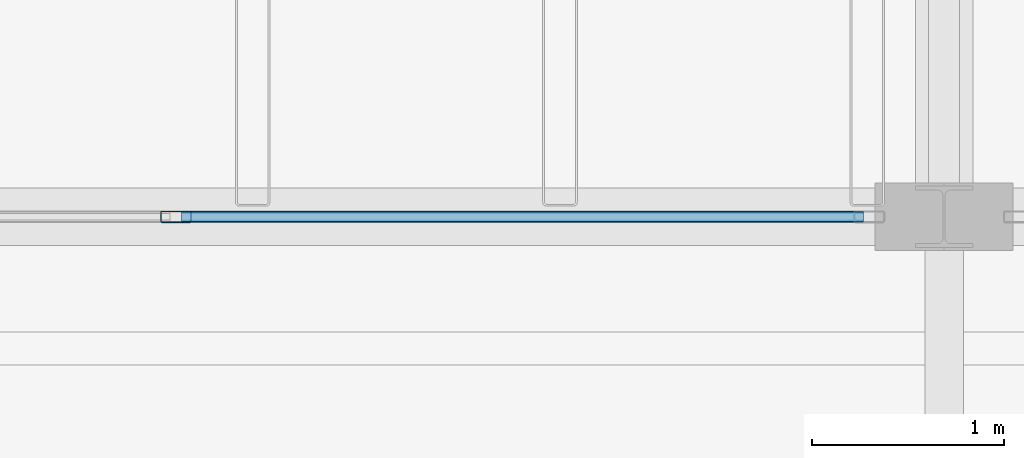
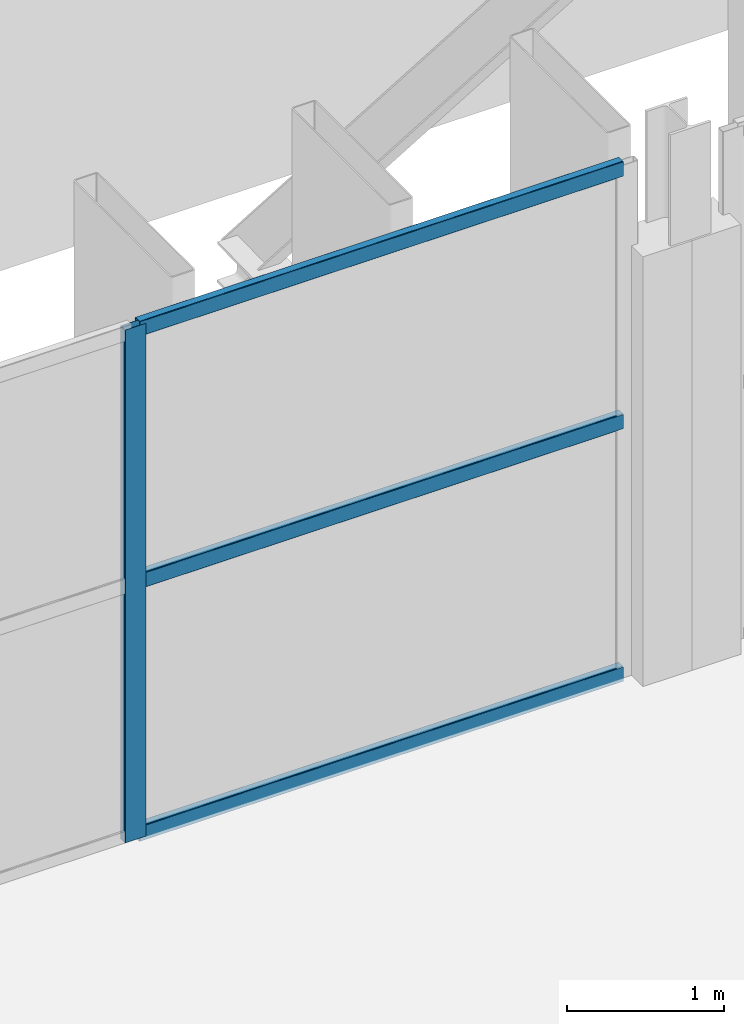
# One storey, part 55 of 93: 4 members, 1 element without a shape of its own.
"""IFC4 building model written with IfcOpenShell, lengths in metres."""

from ifc_helpers import new_model, si_unit, direction, frame, origin, origin_2d, place, context, subcontext, project, spatial, hollow_rectangle, extrude, material, layer, layer_set, material_profile, profile_set, type_object, element, aggregate, save


model = new_model("IFC4")

# Units and contexts
model_context = context("Model", 3, precision=1e-05, world=origin(), true_north=direction((0.0, 1.0)))
body_context = subcontext(model_context, "Body", "Model", "MODEL_VIEW")
ifc_project = project(units=[si_unit("LENGTHUNIT", "METRE"), si_unit("AREAUNIT", "SQUARE_METRE"), si_unit("VOLUMEUNIT", "CUBIC_METRE"), si_unit("PLANEANGLEUNIT", "RADIAN"), si_unit("MASSUNIT", "GRAM", prefix="KILO")], contexts=[model_context])

# Site, building, storey
site_placement = place(None, origin())
site = spatial("IfcSite", under=ifc_project, at=site_placement, CompositionType="ELEMENT")
building_placement = place(site_placement, origin())
building = spatial("IfcBuilding", under=site, at=building_placement, Name="Vekula Escarpment Museum", CompositionType="ELEMENT")
storey_placement = place(building_placement, frame((0.0, 0.0, 22.199951171875)))
storey = spatial("IfcBuildingStorey", under=building, at=storey_placement, Name="L05", CompositionType="ELEMENT", Elevation=22.199951171875)

# Curtain wall, members
ifc_material_1 = material(Name="Aluminium thermally broken framing", Category="aluminium")
ifc_layer = layer(ifc_material_1, 0.179931640625)
ifc_layer_set = layer_set([ifc_layer], Name="Aluminium thermally broken framing")
curtain_wall_type = type_object("IfcCurtainWallType", Name="CW-SYS-07", PredefinedType="NOTDEFINED", material=ifc_layer_set)
curtain_wall_placement = place(storey_placement, origin())
curtain_wall = element("IfcCurtainWall", 1, at=curtain_wall_placement, inside=storey, type_object=curtain_wall_type, Name="Curtain Wall CW-L05-177", PredefinedType="NOTDEFINED")
ifc_material_2 = material(Name="Aluminium anodized mullion", Category="aluminium")
ifc_material_profile_1 = material_profile(ifc_material_2, hollow_rectangle(XDim=0.06005859375, YDim=0.159912109375, WallThickness=0.00390625, InnerFilletRadius=0.00390625, OuterFilletRadius=0.008056640625, at=origin_2d()), Name="ALU 160x60x4")
ifc_profile_set_1 = profile_set([ifc_material_profile_1], Name="Aluminium anodized mullion")
member_type_1 = type_object("IfcMemberType", Name="CW-MUL-160", PredefinedType="MULLION", material=ifc_profile_set_1)
member_1_placement = place(storey_placement, frame((114.0, 90.39990234375, 0.0), z_axis=(0.0, 0.0, 1.0), x_axis=(0.0, -1.0, 0.0)))
member_1 = element("IfcMember", 2, at=member_1_placement, type_object=member_type_1, Name="CW-07 mullion 2", PredefinedType="MULLION", context=body_context, shape_type="SweptSolid", body=[
    extrude(hollow_rectangle(XDim=0.06005859375, YDim=0.159912109375, WallThickness=0.00390625, InnerFilletRadius=0.00390625, OuterFilletRadius=0.008056640625, at=origin_2d()), origin(), (0.0, 0.0, 1.0), 3.97998046875),
])
ifc_material_3 = material(Name="Aluminium anodized transom", Category="aluminium")
ifc_material_profile_2 = material_profile(ifc_material_3, hollow_rectangle(XDim=0.06005859375, YDim=0.1201171875, WallThickness=0.00390625, InnerFilletRadius=0.00390625, OuterFilletRadius=0.008056640625, at=origin_2d()), Name="ALU 120x60x4")
ifc_profile_set_2 = profile_set([ifc_material_profile_2], Name="Aluminium anodized transom")
member_type_2 = type_object("IfcMemberType", Name="CW-TRN-120", PredefinedType="USERDEFINED", material=ifc_profile_set_2)
member_2_placement = place(storey_placement, frame((117.580078125, 90.39990234375, 0.030029296875), z_axis=(-1.0, 0.0, 0.0), x_axis=(0.0, -1.0, 0.0)))
member_2 = element("IfcMember", 3, at=member_2_placement, type_object=member_type_2, Name="CW-07 transom 1.1", ObjectType="TRANSOM", PredefinedType="USERDEFINED", context=body_context, shape_type="SweptSolid", body=[
    extrude(hollow_rectangle(XDim=0.06005859375, YDim=0.1201171875, WallThickness=0.00390625, InnerFilletRadius=0.00390625, OuterFilletRadius=0.008056640625, at=origin_2d()), origin(), (0.0, 0.0, 1.0), 3.550048828125),
])
member_3_placement = place(storey_placement, frame((117.580078125, 90.39990234375, 1.989990234375), z_axis=(-1.0, 0.0, 0.0), x_axis=(0.0, -1.0, 0.0)))
member_3 = element("IfcMember", 4, at=member_3_placement, type_object=member_type_2, Name="CW-07 transom 1.2", ObjectType="TRANSOM", PredefinedType="USERDEFINED", context=body_context, shape_type="SweptSolid", body=[
    extrude(hollow_rectangle(XDim=0.06005859375, YDim=0.1201171875, WallThickness=0.00390625, InnerFilletRadius=0.00390625, OuterFilletRadius=0.008056640625, at=origin_2d()), origin(), (0.0, 0.0, 1.0), 3.550048828125),
])
member_4_placement = place(storey_placement, frame((117.580078125, 90.39990234375, 3.949951171875), z_axis=(-1.0, 0.0, 0.0), x_axis=(0.0, -1.0, 0.0)))
member_4 = element("IfcMember", 5, at=member_4_placement, type_object=member_type_2, Name="CW-07 transom 1.3", ObjectType="TRANSOM", PredefinedType="USERDEFINED", context=body_context, shape_type="SweptSolid", body=[
    extrude(hollow_rectangle(XDim=0.06005859375, YDim=0.1201171875, WallThickness=0.00390625, InnerFilletRadius=0.00390625, OuterFilletRadius=0.008056640625, at=origin_2d()), origin(), (0.0, 0.0, 1.0), 3.550048828125),
])
aggregate(curtain_wall, [member_1, member_2, member_3, member_4])

save(model, "model.ifc")
